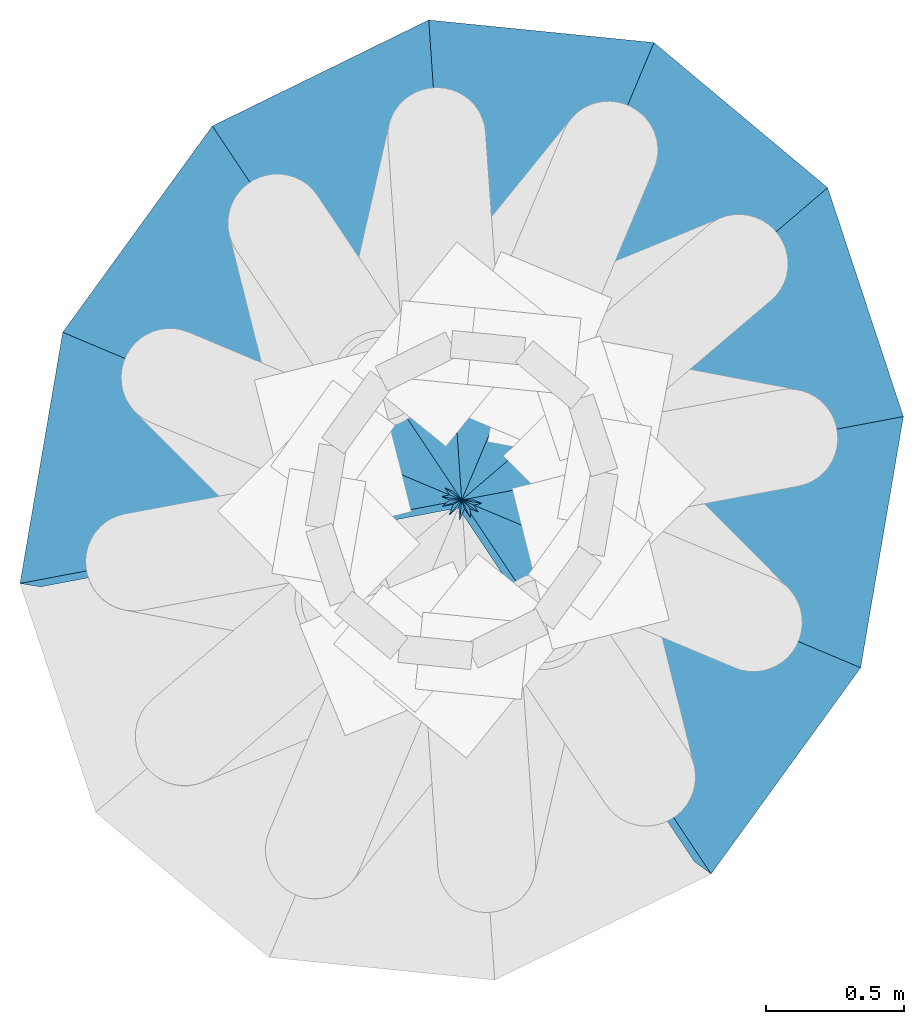
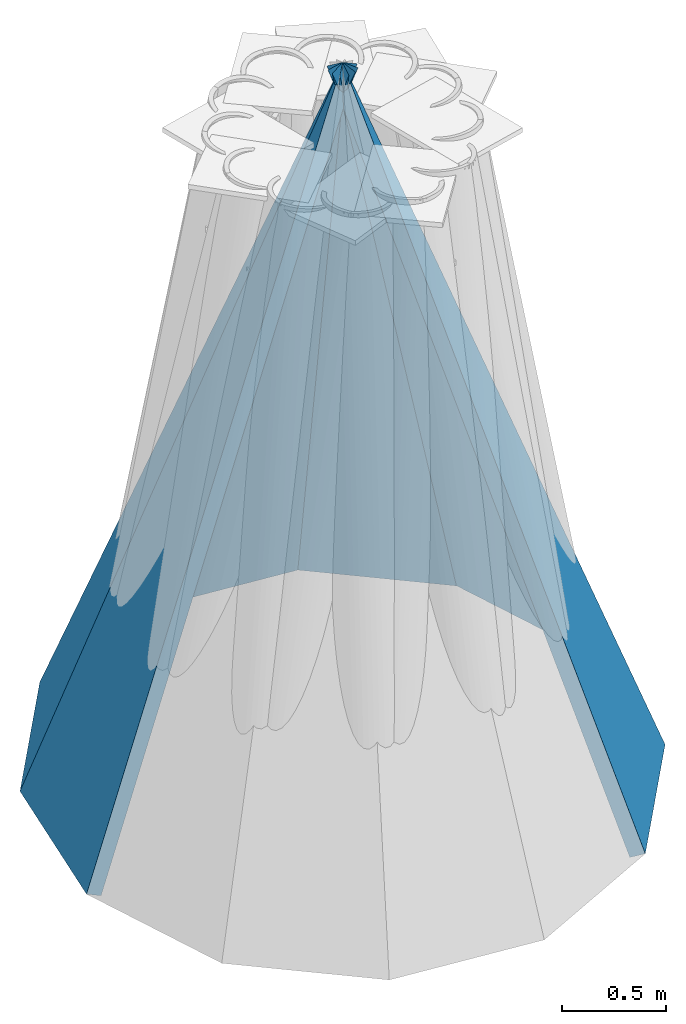
# One storey, part 2 of 2: 8 roofs.
"""IFC4 building model written with IfcOpenShell, lengths in metres."""

from ifc_helpers import new_model, si_unit, direction, frame, origin, place, context, subcontext, project, spatial, polyline, outline, extrude, material, layer, layer_set, type_object, element, save


model = new_model("IFC4")

# Units and contexts
model_context = context("Model", 3, precision=1e-05, world=origin(), true_north=direction((0.0, 1.0)))
body_context = subcontext(model_context, "Body", "Model", "MODEL_VIEW")
ifc_project = project(units=[si_unit("LENGTHUNIT", "METRE"), si_unit("AREAUNIT", "SQUARE_METRE"), si_unit("VOLUMEUNIT", "CUBIC_METRE"), si_unit("PLANEANGLEUNIT", "RADIAN"), si_unit("MASSUNIT", "GRAM", prefix="KILO")], contexts=[model_context])

# Site, building, storey
site_placement = place(None, origin())
site = spatial("IfcSite", under=ifc_project, at=site_placement, CompositionType="ELEMENT")
building_placement = place(site_placement, origin())
building = spatial("IfcBuilding", under=site, at=building_placement, Name="Veldorim Arch Residences", CompositionType="ELEMENT")
storey_placement = place(building_placement, frame((0.0, 0.0, 271.840087890625)))
storey = spatial("IfcBuildingStorey", under=building, at=storey_placement, Name="L80", CompositionType="ELEMENT", Elevation=271.840087890625)

# Roofs
ifc_material = material(Name="Laminated Low-E Glass", Category="glass")
ifc_layer = layer(ifc_material, 0.080078125, Name="Glass-Point Crown Laminated Double-Glazed Roof Facet")
ifc_layer_set = layer_set([ifc_layer], Name="Laminated Low-E Glass")
roof_type = type_object("IfcRoofType", Name="Glass-Point Crown Laminated Double-Glazed Roof Facet", PredefinedType="PAVILION_ROOF", material=ifc_layer_set)
roof_1_placement = place(storey_placement, frame((32.697509765625, 25.659423828125, 0.0), z_axis=(0.092030197096, 0.91947781994, 0.382218499632), x_axis=(-0.995028355907, 0.099592022477, 0.0)))
element("IfcRoof", 1, at=roof_1_placement, inside=storey, type_object=roof_type, Name="L80 glass-point crown apex facet 01", PredefinedType="PAVILION_ROOF", context=body_context, shape_type="SweptSolid", body=[
    extrude(outline(polyline([(0.0, 0.0), (0.8212214928589955, 0.0), (0.5287766201302703, 4.501718711583349), (0.0, 0.0)])), origin(), (0.0, 0.0, -1.0), 0.080078125),
])
roof_2_placement = place(storey_placement, frame((31.88037109375, 25.7412109375, 0.0), z_axis=(-0.409965746497, 0.837111009991, 0.362178469337), x_axis=(-0.898082968709, -0.439826080758, 0.0)))
element("IfcRoof", 2, at=roof_2_placement, inside=storey, type_object=roof_type, Name="L80 glass-point crown apex facet 03", PredefinedType="PAVILION_ROOF", context=body_context, shape_type="SweptSolid", body=[
    extrude(outline(polyline([(0.0, 0.0), (0.874258033340281, 0.0), (0.6583932991446647, 4.462904169422235), (0.0, 0.0)])), origin(), (0.0, 0.0, -1.0), 0.080078125),
])
roof_3_placement = place(storey_placement, frame((31.09521484375, 25.356689453125, 0.0), z_axis=(-0.759929574709, 0.55091794943, 0.344958627199), x_axis=(-0.586945928311, -0.809626134237, 0.0)))
element("IfcRoof", 3, at=roof_3_placement, inside=storey, type_object=roof_type, Name="L80 glass-point crown apex facet 05", PredefinedType="PAVILION_ROOF", context=body_context, shape_type="SweptSolid", body=[
    extrude(outline(polyline([(0.0, 0.0), (0.9242426645856128, -2.7755575615628914e-17), (0.5673512738358527, 4.431954844196017), (0.0, 0.0)])), origin(), (0.0, 0.0, -1.0), 0.080078125),
])
roof_4_placement = place(storey_placement, frame((30.552734375, 24.6083984375, 0.0), z_axis=(-0.92532106355, 0.157443428552, 0.344952889763), x_axis=(-0.167739264666, -0.985831394859, 0.0)))
element("IfcRoof", 4, at=roof_4_placement, inside=storey, type_object=roof_type, Name="L80 glass-point crown apex facet 07", PredefinedType="PAVILION_ROOF", context=body_context, shape_type="SweptSolid", body=[
    extrude(outline(polyline([(0.0, 0.0), (0.9242278317080248, 0.0), (0.35701500855593427, 4.431944887907525), (0.0, 0.0)])), origin(), (0.0, 0.0, -1.0), 0.080078125),
])
roof_5_placement = place(storey_placement, frame((32.90478515625, 22.643310546875, 0.0), z_axis=(0.759929574709, -0.55091794943, 0.344958627199), x_axis=(0.586945928311, 0.809626134237, 0.0)))
element("IfcRoof", 5, at=roof_5_placement, inside=storey, type_object=roof_type, Name="L80 glass-point crown apex facet 17", PredefinedType="PAVILION_ROOF", context=body_context, shape_type="SweptSolid", body=[
    extrude(outline(polyline([(0.0, 0.0), (0.9242426645856128, -2.7755575615628914e-17), (0.5673512738358527, 4.431954844196017), (0.0, 0.0)])), origin(), (0.0, 0.0, -1.0), 0.080078125),
])
roof_6_placement = place(storey_placement, frame((33.447265625, 23.3916015625, 0.0), z_axis=(0.92532106355, -0.157443428552, 0.344952889763), x_axis=(0.167739264666, 0.985831394859, 0.0)))
element("IfcRoof", 6, at=roof_6_placement, inside=storey, type_object=roof_type, Name="L80 glass-point crown apex facet 19", PredefinedType="PAVILION_ROOF", context=body_context, shape_type="SweptSolid", body=[
    extrude(outline(polyline([(0.0, 0.0), (0.9242278317080248, 0.0), (0.35701500855593427, 4.431944887907525), (0.0, 0.0)])), origin(), (0.0, 0.0, -1.0), 0.080078125),
])
roof_7_placement = place(storey_placement, frame((33.602294921875, 24.302734375, 0.0), z_axis=(0.884930561354, 0.29280790633, 0.362162161982), x_axis=(-0.314132777005, 0.949379059392, 0.0)))
element("IfcRoof", 7, at=roof_7_placement, inside=storey, type_object=roof_type, Name="L80 glass-point crown apex facet 21", PredefinedType="PAVILION_ROOF", context=body_context, shape_type="SweptSolid", body=[
    extrude(outline(polyline([(0.0, 0.0), (0.874337933608836, 1.3877787807814457e-17), (0.21592367720592848, 4.462873832164616), (0.0, 0.0)])), origin(), (0.0, 0.0, -1.0), 0.080078125),
])
roof_8_placement = place(storey_placement, frame((33.32763671875, 25.1328125, 0.0), z_axis=(0.592577890534, 0.709060517139, 0.382210186528), x_axis=(-0.767318884731, 0.641265724279, 0.0)))
element("IfcRoof", 8, at=roof_8_placement, inside=storey, type_object=roof_type, Name="L80 glass-point crown apex facet 23", PredefinedType="PAVILION_ROOF", context=body_context, shape_type="SweptSolid", body=[
    extrude(outline(polyline([(0.0, 0.0), (0.8212061056544651, 2.7755575615628914e-17), (0.29228689807404307, 4.501701960821988), (0.0, 0.0)])), origin(), (0.0, 0.0, -1.0), 0.080078125),
])

save(model, "model.ifc")
